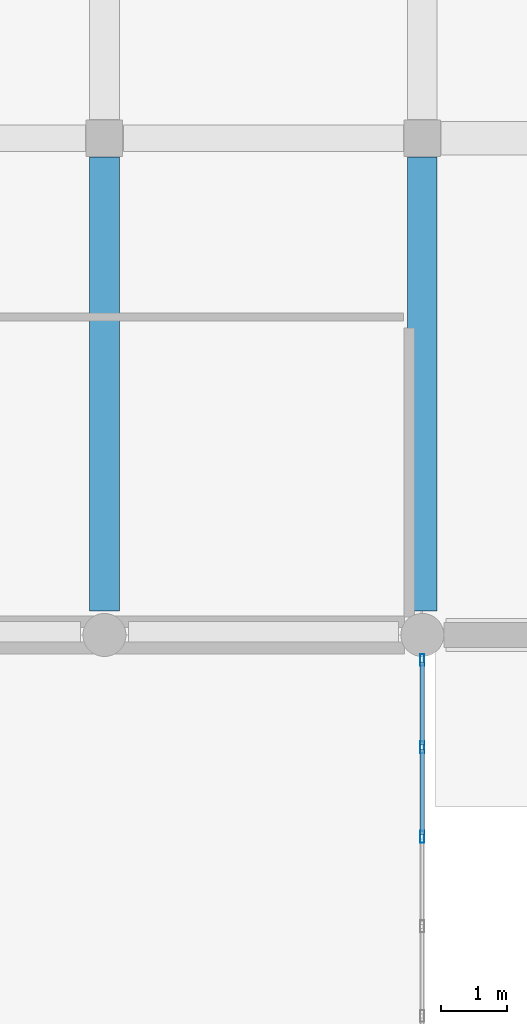
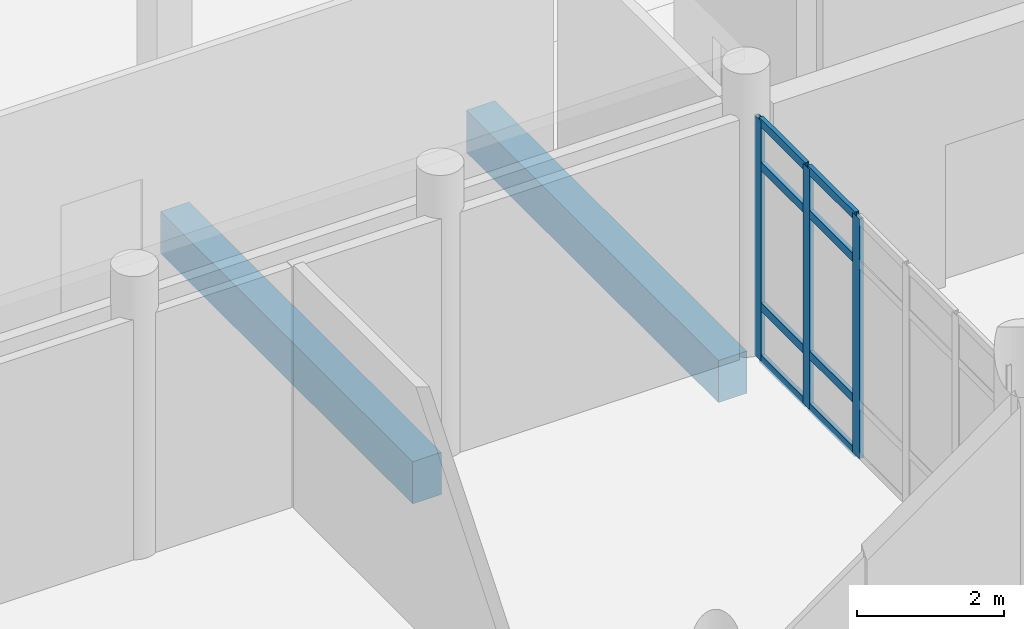
# One storey, part 77 of 173: 11 members, 2 beams, 1 element without a shape of its own.
"""IFC4 building model written with IfcOpenShell, lengths in metres."""

from ifc_helpers import new_model, si_unit, direction, frame, origin, origin_2d, place, context, subcontext, project, spatial, rectangle, hollow_rectangle, extrude, material, layer, layer_set, material_profile, profile_set, type_object, element, aggregate, save


model = new_model("IFC4")

# Units and contexts
model_context = context("Model", 3, precision=1e-05, world=origin(), true_north=direction((0.0, 1.0)))
body_context = subcontext(model_context, "Body", "Model", "MODEL_VIEW")
ifc_project = project(units=[si_unit("LENGTHUNIT", "METRE"), si_unit("AREAUNIT", "SQUARE_METRE"), si_unit("VOLUMEUNIT", "CUBIC_METRE"), si_unit("PLANEANGLEUNIT", "RADIAN"), si_unit("MASSUNIT", "GRAM", prefix="KILO")], contexts=[model_context])

# Site, building, storey
site_placement = place(None, origin())
site = spatial("IfcSite", under=ifc_project, at=site_placement, CompositionType="ELEMENT")
building_placement = place(site_placement, origin())
building = spatial("IfcBuilding", under=site, at=building_placement, Name="Mawjan Specialist Oncology Clinic", CompositionType="ELEMENT")
storey_placement = place(building_placement, origin())
storey = spatial("IfcBuildingStorey", under=building, at=storey_placement, Name="L00", CompositionType="ELEMENT", Elevation=0.0)

# Beams
ifc_material_1 = material(Name="Concrete C40/50", Category="concrete")
ifc_material_profile_1 = material_profile(ifc_material_1, rectangle(XDim=0.449951171875, YDim=0.699951171875, at=origin_2d()), Name="RC BM 450x700", Category="concrete")
ifc_profile_set_1 = profile_set([ifc_material_profile_1], Name="Concrete C40/50")
beam_type = type_object("IfcBeamType", Name="BM-450x700", PredefinedType="BEAM", material=ifc_profile_set_1)
for number, where, z_axis, x_axis, name in (
    (1, (103.199951171875, 76.159912109375, -0.77001953125), (0.0, 1.0, 0.0), (-1.0, 0.0, 0.0), "L00 Collector Beam BM-L00-0174"),
    (2, (108.0, 76.159912109375, -0.77001953125), (0.0, 1.0, 0.0), (-1.0, 0.0, 0.0), "L00 Collector Beam BM-L00-0179"),
):
    element("IfcBeam", number, at=place(storey_placement, frame(where, z_axis=z_axis, x_axis=x_axis)), inside=storey, type_object=beam_type, Name=name, PredefinedType="BEAM", context=body_context, shape_type="SweptSolid", body=[
        extrude(rectangle(XDim=0.449951171875, YDim=0.699951171875, at=origin_2d()), origin(), (0.0, 0.0, 1.0), 6.85498046875),
    ])

# Curtain wall, members
ifc_material_2 = material(Name="Unitised spectrally selective aluminium curtain wall", Category="aluminium")
ifc_layer = layer(ifc_material_2, 0.179931640625, Name="Unitised spectrally selective aluminium curtain wall", Category="aluminium")
ifc_layer_set = layer_set([ifc_layer], Name="Unitised spectrally selective aluminium curtain wall")
curtain_wall_type = type_object("IfcCurtainWallType", Name="CW-28", PredefinedType="NOTDEFINED", material=ifc_layer_set)
curtain_wall_placement = place(storey_placement, origin())
curtain_wall = element("IfcCurtainWall", 3, at=curtain_wall_placement, inside=storey, type_object=curtain_wall_type, Name="L00 Unitised Curtain Wall CW-L00-067", PredefinedType="NOTDEFINED")
ifc_material_3 = material(Name="Thermally broken aluminium 6063-T6", Category="aluminium")
ifc_material_profile_2 = material_profile(ifc_material_3, hollow_rectangle(XDim=0.06494140625, YDim=0.179931640625, WallThickness=0.00390625, at=origin_2d()), Name="ALU MULLION 180x65x4", Category="aluminium")
ifc_profile_set_2 = profile_set([ifc_material_profile_2], Name="Thermally broken aluminium 6063-T6")
member_type_1 = type_object("IfcMemberType", Name="CW-M180", PredefinedType="MULLION", material=ifc_profile_set_2)
member_1_placement = place(storey_placement, frame((108.0, 75.422607421875, 0.0), z_axis=(0.0, 0.0, 1.0), x_axis=(1.0, 0.0, 0.0)))
member_1 = element("IfcMember", 4, at=member_1_placement, type_object=member_type_1, Name="CW-28 mullion 1", PredefinedType="MULLION", context=body_context, shape_type="SweptSolid", body=[
    extrude(hollow_rectangle(XDim=0.06494140625, YDim=0.179931640625, WallThickness=0.00390625, at=origin_2d()), origin(), (0.0, 0.0, 1.0), 3.985107421875),
])
member_2_placement = place(storey_placement, frame((108.0, 74.10302734375, 0.0), z_axis=(0.0, 0.0, 1.0), x_axis=(1.0, 0.0, 0.0)))
member_2 = element("IfcMember", 5, at=member_2_placement, type_object=member_type_1, Name="CW-28 mullion 2", PredefinedType="MULLION", context=body_context, shape_type="SweptSolid", body=[
    extrude(hollow_rectangle(XDim=0.06494140625, YDim=0.179931640625, WallThickness=0.00390625, at=origin_2d()), origin(), (0.0, 0.0, 1.0), 3.985107421875),
])
member_3_placement = place(storey_placement, frame((108.0, 72.7509765625, 0.0), z_axis=(0.0, 0.0, 1.0), x_axis=(1.0, 0.0, 0.0)))
member_3 = element("IfcMember", 6, at=member_3_placement, type_object=member_type_1, Name="CW-28 mullion 3", PredefinedType="MULLION", context=body_context, shape_type="SweptSolid", body=[
    extrude(hollow_rectangle(XDim=0.06494140625, YDim=0.179931640625, WallThickness=0.00390625, at=origin_2d()), origin(), (0.0, 0.0, 1.0), 3.985107421875),
])
ifc_material_4 = material(Name="Thermally broken aluminium 6063-T6", Category="aluminium")
ifc_material_profile_3 = material_profile(ifc_material_4, hollow_rectangle(XDim=0.06494140625, YDim=0.139892578125, WallThickness=0.00390625, at=origin_2d()), Name="ALU TRANSOM 140x65x4", Category="aluminium")
ifc_profile_set_3 = profile_set([ifc_material_profile_3], Name="Thermally broken aluminium 6063-T6")
member_type_2 = type_object("IfcMemberType", Name="CW-T140", PredefinedType="USERDEFINED", material=ifc_profile_set_3)
member_4_placement = place(storey_placement, frame((108.0, 75.389892578125, 0.032470703125), z_axis=(0.0, -1.0, 0.0), x_axis=(1.0, 0.0, 0.0)))
member_4 = element("IfcMember", 7, at=member_4_placement, type_object=member_type_2, Name="CW-28 transom 1.1", ObjectType="TRANSOM", PredefinedType="USERDEFINED", context=body_context, shape_type="SweptSolid", body=[
    extrude(hollow_rectangle(XDim=0.06494140625, YDim=0.139892578125, WallThickness=0.00390625, at=origin_2d()), origin(), (0.0, 0.0, 1.0), 1.25439453125),
])
member_5_placement = place(storey_placement, frame((108.0, 75.389892578125, 0.89990234375), z_axis=(0.0, -1.0, 0.0), x_axis=(1.0, 0.0, 0.0)))
member_5 = element("IfcMember", 8, at=member_5_placement, type_object=member_type_2, Name="CW-28 transom 1.2", ObjectType="TRANSOM", PredefinedType="USERDEFINED", context=body_context, shape_type="SweptSolid", body=[
    extrude(hollow_rectangle(XDim=0.06494140625, YDim=0.139892578125, WallThickness=0.00390625, at=origin_2d()), origin(), (0.0, 0.0, 1.0), 1.25439453125),
])
member_6_placement = place(storey_placement, frame((108.0, 75.389892578125, 3.235107421875), z_axis=(0.0, -1.0, 0.0), x_axis=(1.0, 0.0, 0.0)))
member_6 = element("IfcMember", 9, at=member_6_placement, type_object=member_type_2, Name="CW-28 transom 1.3", ObjectType="TRANSOM", PredefinedType="USERDEFINED", context=body_context, shape_type="SweptSolid", body=[
    extrude(hollow_rectangle(XDim=0.06494140625, YDim=0.139892578125, WallThickness=0.00390625, at=origin_2d()), origin(), (0.0, 0.0, 1.0), 1.25439453125),
])
member_7_placement = place(storey_placement, frame((108.0, 75.389892578125, 3.952392578125), z_axis=(0.0, -1.0, 0.0), x_axis=(1.0, 0.0, 0.0)))
member_7 = element("IfcMember", 10, at=member_7_placement, type_object=member_type_2, Name="CW-28 transom 1.4", ObjectType="TRANSOM", PredefinedType="USERDEFINED", context=body_context, shape_type="SweptSolid", body=[
    extrude(hollow_rectangle(XDim=0.06494140625, YDim=0.139892578125, WallThickness=0.00390625, at=origin_2d()), origin(), (0.0, 0.0, 1.0), 1.25439453125),
])
member_8_placement = place(storey_placement, frame((108.0, 74.070556640625, 0.032470703125), z_axis=(0.0, -1.0, 0.0), x_axis=(1.0, 0.0, 0.0)))
member_8 = element("IfcMember", 11, at=member_8_placement, type_object=member_type_2, Name="CW-28 transom 2.1", ObjectType="TRANSOM", PredefinedType="USERDEFINED", context=body_context, shape_type="SweptSolid", body=[
    extrude(hollow_rectangle(XDim=0.06494140625, YDim=0.139892578125, WallThickness=0.00390625, at=origin_2d()), origin(), (0.0, 0.0, 1.0), 1.287109375),
])
member_9_placement = place(storey_placement, frame((108.0, 74.070556640625, 0.89990234375), z_axis=(0.0, -1.0, 0.0), x_axis=(1.0, 0.0, 0.0)))
member_9 = element("IfcMember", 12, at=member_9_placement, type_object=member_type_2, Name="CW-28 transom 2.2", ObjectType="TRANSOM", PredefinedType="USERDEFINED", context=body_context, shape_type="SweptSolid", body=[
    extrude(hollow_rectangle(XDim=0.06494140625, YDim=0.139892578125, WallThickness=0.00390625, at=origin_2d()), origin(), (0.0, 0.0, 1.0), 1.287109375),
])
member_10_placement = place(storey_placement, frame((108.0, 74.070556640625, 3.235107421875), z_axis=(0.0, -1.0, 0.0), x_axis=(1.0, 0.0, 0.0)))
member_10 = element("IfcMember", 13, at=member_10_placement, type_object=member_type_2, Name="CW-28 transom 2.3", ObjectType="TRANSOM", PredefinedType="USERDEFINED", context=body_context, shape_type="SweptSolid", body=[
    extrude(hollow_rectangle(XDim=0.06494140625, YDim=0.139892578125, WallThickness=0.00390625, at=origin_2d()), origin(), (0.0, 0.0, 1.0), 1.287109375),
])
member_11_placement = place(storey_placement, frame((108.0, 74.070556640625, 3.952392578125), z_axis=(0.0, -1.0, 0.0), x_axis=(1.0, 0.0, 0.0)))
member_11 = element("IfcMember", 14, at=member_11_placement, type_object=member_type_2, Name="CW-28 transom 2.4", ObjectType="TRANSOM", PredefinedType="USERDEFINED", context=body_context, shape_type="SweptSolid", body=[
    extrude(hollow_rectangle(XDim=0.06494140625, YDim=0.139892578125, WallThickness=0.00390625, at=origin_2d()), origin(), (0.0, 0.0, 1.0), 1.287109375),
])
aggregate(curtain_wall, [member_1, member_2, member_3, member_4, member_5, member_6, member_7, member_8, member_9, member_10, member_11])

save(model, "model.ifc")
